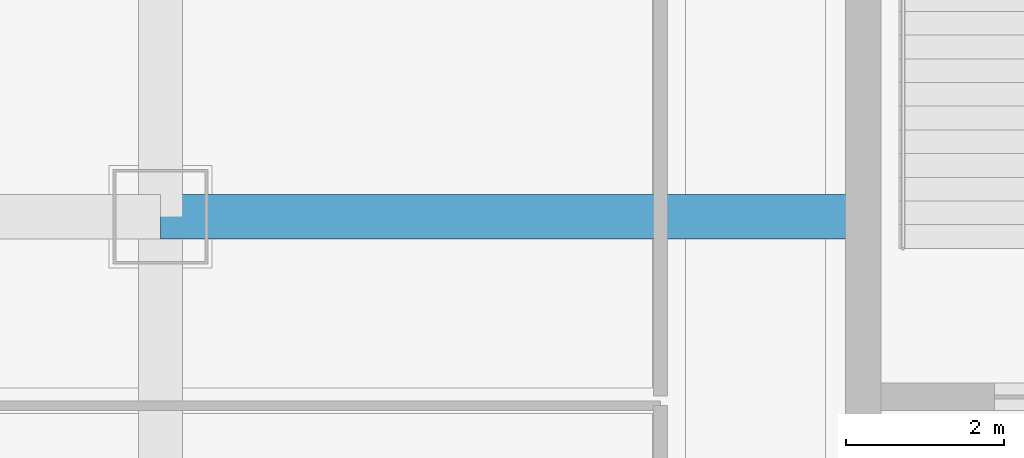
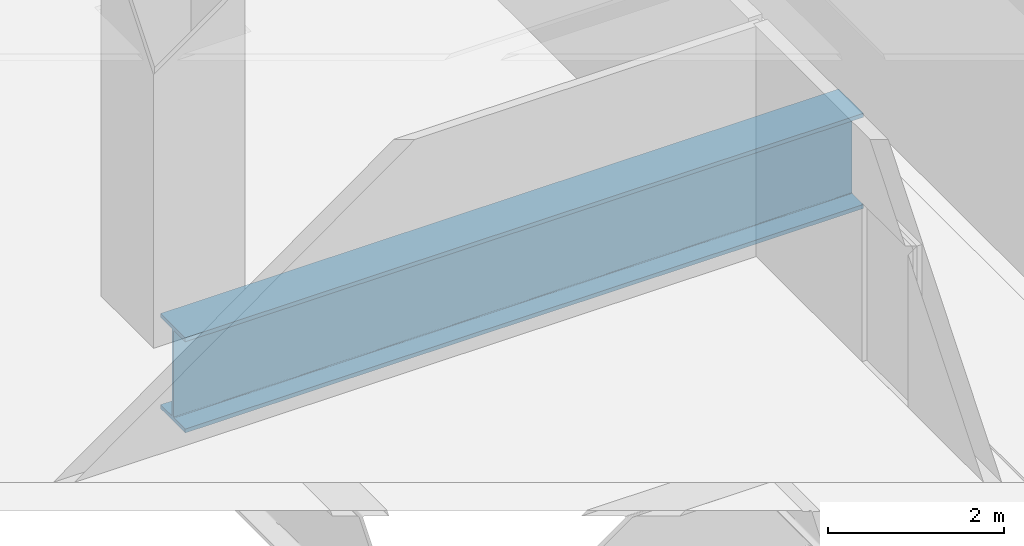
# One storey, part 13 of 45: 1 beam.
"""IFC4 building model written with IfcOpenShell, lengths in metres."""

import ifcopenshell
import ifcopenshell.guid

model = None  # the IFC model being written
_history = None  # IfcOwnerHistory: only IFC2X3 demands one
_inside = {}  # id of a spatial element -> (the spatial element, [elements in it])
_under = {}  # id of a project, library or spatial element -> (it, [spatial elements below it])
_declared = {}  # id of a project -> (the project, [libraries it declares])
_typed = {}  # id of a type object -> (the type object, [elements of that type])
_made_of = {}  # id of a material, layer set ... -> (it, [elements and type objects made of it])


def new_model(schema):
    """Start an empty IFC model of exactly this schema.

    Asked for "IFC4X3", IfcOpenShell would pick the latest addendum, in which some entities
    have other attributes; the version numbers below select the first issue.
    IFC2X3 requires an IfcOwnerHistory on every rooted entity: one is made here for all.
    """
    global model, _history
    if schema == "IFC4X3":
        model = ifcopenshell.file(schema_version=(4, 3, 0, 0))
    else:
        model = ifcopenshell.file(schema=schema)
    _inside.clear()
    _under.clear()
    _declared.clear()
    _typed.clear()
    _made_of.clear()
    _history = None
    if model.schema == "IFC2X3":
        org = make("IfcOrganization", Name="unknown")
        user = make(
            "IfcPersonAndOrganization",
            ThePerson=make("IfcPerson", FamilyName="unknown"),
            TheOrganization=org,
        )
        app = make(
            "IfcApplication",
            ApplicationDeveloper=org,
            Version="unknown",
            ApplicationFullName="unknown",
            ApplicationIdentifier="unknown",
        )
        _history = make(
            "IfcOwnerHistory",
            OwningUser=user,
            OwningApplication=app,
            ChangeAction="ADDED",
            CreationDate=0,
        )
    return model


def make(cls, **values):
    """One entity of the class cls with the attributes given. An attribute that is None is left unset."""
    return model.create_entity(
        cls, **{name: value for name, value in values.items() if value is not None}
    )


def rooted(cls, **values):
    """An entity with a GlobalId (a new one), such as an element, a storey or a relation."""
    return make(cls, GlobalId=ifcopenshell.guid.new(), OwnerHistory=_history, **values)


def si_unit(unit_type, name, prefix=None):
    """IfcSIUnit, for example si_unit("LENGTHUNIT", "METRE", prefix="MILLI")."""
    return make("IfcSIUnit", UnitType=unit_type, Prefix=prefix, Name=name)


def assignment(units):
    """IfcUnitAssignment: the units of a project."""
    return None if units is None else make("IfcUnitAssignment", Units=units)


def point(xyz):
    """IfcCartesianPoint."""
    return None if xyz is None else make("IfcCartesianPoint", Coordinates=xyz)


def direction(xyz):
    """IfcDirection."""
    return None if xyz is None else make("IfcDirection", DirectionRatios=xyz)


def frame(location, z_axis=None, x_axis=None):
    """IfcAxis2Placement3D, a coordinate frame: its origin and axes. An axis left out is left unset."""
    return make(
        "IfcAxis2Placement3D",
        Location=point(location),
        Axis=direction(z_axis),
        RefDirection=direction(x_axis),
    )


def frame_2d(location, x_axis=None):
    """IfcAxis2Placement2D, a coordinate frame in the plane: its origin and x axis."""
    return make(
        "IfcAxis2Placement2D", Location=point(location), RefDirection=direction(x_axis)
    )


def origin():
    """The frame at (0, 0, 0) with its axes left unset."""
    return frame((0.0, 0.0, 0.0))


def origin_2d():
    """The frame at (0, 0) in the plane with its x axis left unset."""
    return frame_2d((0.0, 0.0))


def place(relative_to, where):
    """IfcLocalPlacement: puts the frame where relative to a parent placement (None: the world)."""
    return make(
        "IfcLocalPlacement", PlacementRelTo=relative_to, RelativePlacement=where
    )


def context(
    kind, dimensions, precision=None, world=None, true_north=None, identifier=None
):
    """IfcGeometricRepresentationContext, for example the 3D "Model" context."""
    return make(
        "IfcGeometricRepresentationContext",
        ContextIdentifier=identifier,
        ContextType=kind,
        CoordinateSpaceDimension=dimensions,
        Precision=precision,
        WorldCoordinateSystem=world,
        TrueNorth=true_north,
    )


def subcontext(parent, identifier, kind, view, scale=None):
    """IfcGeometricRepresentationSubContext, for example "Body" below "Model"."""
    return make(
        "IfcGeometricRepresentationSubContext",
        ContextIdentifier=identifier,
        ContextType=kind,
        ParentContext=parent,
        TargetScale=scale,
        TargetView=view,
    )


def project(units=None, contexts=None):
    """IfcProject with its units and contexts."""
    return rooted(
        "IfcProject",
        Name="project",
        RepresentationContexts=contexts,
        UnitsInContext=assignment(units),
    )


def spatial(cls, under=None, at=None, **own):
    """A site, building, storey or space (cls), placed at a placement, below another one or the project."""
    s = rooted(cls, ObjectPlacement=at, **own)
    if under is not None:
        _under.setdefault(under.id(), (under, []))[1].append(s)
    return s


def profile(cls, at=None, kind="AREA", **sizes):
    """A parametric profile (cls). Its sizes go by their IFC names, for example OverallWidth=200.0."""
    return make(cls, ProfileType=kind, Position=at, **sizes)


def i_section(**sizes):
    """IfcIShapeProfileDef."""
    return profile("IfcIShapeProfileDef", **sizes)


def extrude(swept, where, along, depth):
    """IfcExtrudedAreaSolid: the profile swept, set in the frame where, extruded along a direction by depth."""
    return make(
        "IfcExtrudedAreaSolid",
        SweptArea=swept,
        Position=where,
        ExtrudedDirection=direction(along),
        Depth=depth,
    )


def shape(context_of_items, identifier, shape_type, items):
    """IfcShapeRepresentation: the items that make up one representation, for example the "Body"."""
    return make(
        "IfcShapeRepresentation",
        ContextOfItems=context_of_items,
        RepresentationIdentifier=identifier,
        RepresentationType=shape_type,
        Items=items,
    )


def material(Name=None, Category=None):
    """IfcMaterial."""
    return make("IfcMaterial", Name=Name, Category=Category)


def material_profile(
    of_material, cross_section, Name=None, Category=None, Priority=None
):
    """IfcMaterialProfile: a cross section and its material."""
    return make(
        "IfcMaterialProfile",
        Name=Name,
        Material=of_material,
        Profile=cross_section,
        Priority=Priority,
        Category=Category,
    )


def profile_set(profiles, Name=None, composite=None):
    """IfcMaterialProfileSet."""
    return make(
        "IfcMaterialProfileSet",
        Name=Name,
        MaterialProfiles=profiles,
        CompositeProfile=composite,
    )


def made_of(thing, what):
    """Note that an element or type object is made of a material, layer set ...; save() writes the relation."""
    if what is not None:
        _made_of.setdefault(what.id(), (what, []))[1].append(thing)
    return thing


def type_object(cls, material=None, **own):
    """A type object (cls), such as IfcWallType, which elements share."""
    return made_of(rooted(cls, **own), material)


def element(
    cls,
    number,
    at=None,
    inside=None,
    cuts=None,
    type_object=None,
    material=None,
    context=None,
    identifier="Body",
    shape_type=None,
    held_by="IfcProductDefinitionShape",
    body=None,
    shapes=None,
    **own,
):
    """One element of the class cls, such as IfcWall. Its Tag is "e" and its number.

    at: its placement. inside: the storey or other place that contains it. cuts: it is an
    opening in that element (IfcRelVoidsElement). A single representation is given by context,
    identifier, shape_type and body (its items); several are given by shapes. held_by: the class
    of the entity that holds the representations. save() writes the other relations.
    """
    e = rooted(cls, Tag="e%d" % number, ObjectPlacement=at, **own)
    if body is not None:
        shapes = [shape(context, identifier, shape_type, body)]
    if shapes is not None:
        e.Representation = make(held_by, Representations=shapes)
    if inside is not None:
        _inside.setdefault(inside.id(), (inside, []))[1].append(e)
    if cuts is not None:
        rooted(
            "IfcRelVoidsElement", RelatingBuildingElement=cuts, RelatedOpeningElement=e
        )
    if type_object is not None:
        _typed.setdefault(type_object.id(), (type_object, []))[1].append(e)
    return made_of(e, material)


def aggregate(whole, parts):
    """IfcRelAggregates: a whole, such as a stair, and the parts it consists of."""
    return rooted("IfcRelAggregates", RelatingObject=whole, RelatedObjects=parts)


def save(model, path):
    """Write the relations noted so far, then the file.

    IfcRelAggregates (storeys below a building ...), IfcRelContainedInSpatialStructure (elements
    in a storey), IfcRelDefinesByType, IfcRelAssociatesMaterial and IfcRelDeclares: one each for
    every whole, place, type object, material and project.
    """
    for whole, parts in _under.values():
        aggregate(whole, parts)
    for where, things in _inside.values():
        rooted(
            "IfcRelContainedInSpatialStructure",
            RelatedElements=things,
            RelatingStructure=where,
        )
    for kind, things in _typed.values():
        rooted("IfcRelDefinesByType", RelatedObjects=things, RelatingType=kind)
    for what, things in _made_of.values():
        rooted("IfcRelAssociatesMaterial", RelatedObjects=things, RelatingMaterial=what)
    for by, libraries in _declared.values():
        rooted("IfcRelDeclares", RelatingContext=by, RelatedDefinitions=libraries)
    model.write(path)


model = new_model("IFC4")

# Units and contexts
model_context = context("Model", 3, precision=1e-05, world=origin(), true_north=direction((0.0, 1.0)))
body_context = subcontext(model_context, "Body", "Model", "MODEL_VIEW")
ifc_project = project(units=[si_unit("LENGTHUNIT", "METRE"), si_unit("AREAUNIT", "SQUARE_METRE"), si_unit("VOLUMEUNIT", "CUBIC_METRE"), si_unit("PLANEANGLEUNIT", "RADIAN"), si_unit("MASSUNIT", "GRAM", prefix="KILO")], contexts=[model_context])

# Site, building, storey
site_placement = place(None, origin())
site = spatial("IfcSite", under=ifc_project, at=site_placement, CompositionType="ELEMENT")
building_placement = place(site_placement, origin())
building = spatial("IfcBuilding", under=site, at=building_placement, Name="Punatoya Terracotta Tower", CompositionType="ELEMENT")
storey_placement = place(building_placement, frame((0.0, 0.0, 339.0)))
storey = spatial("IfcBuildingStorey", under=building, at=storey_placement, Name="L80", CompositionType="ELEMENT", Elevation=339.0)

# Beam
ifc_material = material(Name="Steel S460", Category="steel")
ifc_material_profile = material_profile(ifc_material, i_section(OverallWidth=0.56005859375, OverallDepth=1.320068359375, WebThickness=0.035888671875, FlangeThickness=0.054931640625, FilletRadius=0.01806640625, at=origin_2d()))
ifc_profile_set = profile_set([ifc_material_profile], Name="Steel S460")
beam_type = type_object("IfcBeamType", Name="BM-TG-BLK", PredefinedType="BEAM", material=ifc_profile_set)
beam_placement = place(storey_placement, frame((-19.10009765625, -3.39990234375, -0.919921875), z_axis=(1.0, 0.0, 0.0), x_axis=(0.0, 1.0, 0.0)))
element("IfcBeam", 1, at=beam_placement, inside=storey, type_object=beam_type, Name="BM-L80-PR-WD", PredefinedType="BEAM", context=body_context, shape_type="SweptSolid", body=[
    extrude(i_section(OverallWidth=0.56005859375, OverallDepth=1.320068359375, WebThickness=0.035888671875, FlangeThickness=0.054931640625, FilletRadius=0.01806640625, at=origin_2d()), origin(), (0.0, 0.0, 1.0), 8.900146484375),
])

save(model, "model.ifc")
